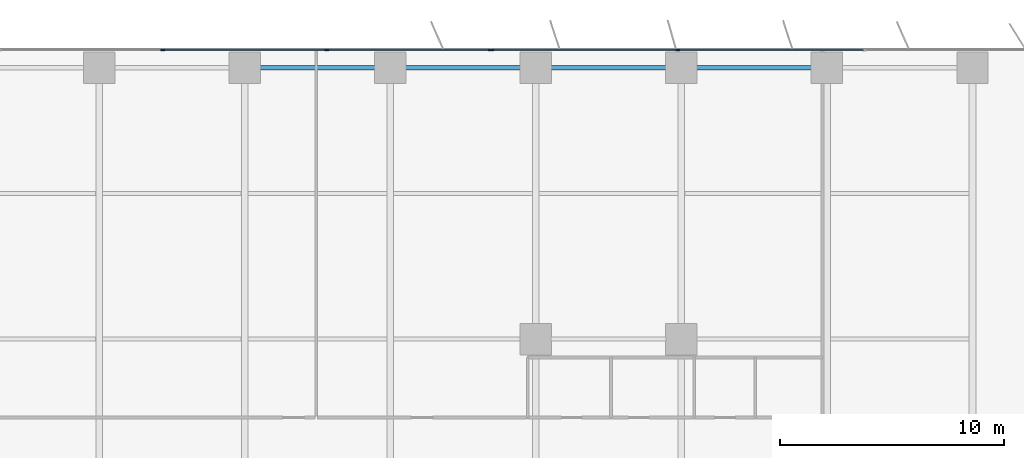
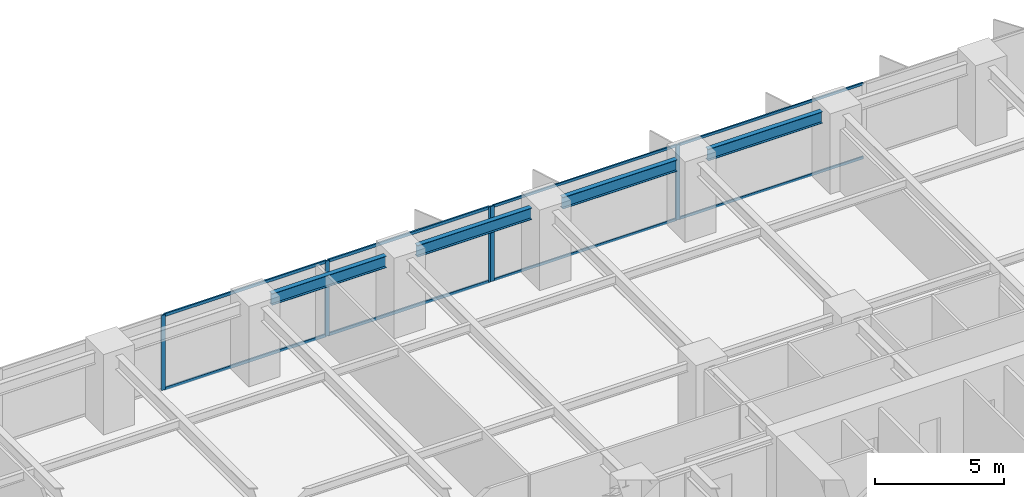
# One storey, part 9 of 20: 13 members, 4 beams, 2 elements without a shape of their own.
"""IFC4 building model written with IfcOpenShell, lengths in metres."""

from ifc_helpers import new_model, si_unit, direction, frame, origin, origin_2d, place, context, subcontext, project, spatial, rectangle, i_section, extrude, material, layer, layer_set, material_profile, profile_set, type_object, element, aggregate, save


model = new_model("IFC4")

# Units and contexts
model_context = context("Model", 3, precision=1e-05, world=origin(), true_north=direction((0.0, 1.0)))
body_context = subcontext(model_context, "Body", "Model", "MODEL_VIEW")
ifc_project = project(units=[si_unit("LENGTHUNIT", "METRE"), si_unit("AREAUNIT", "SQUARE_METRE"), si_unit("VOLUMEUNIT", "CUBIC_METRE"), si_unit("PLANEANGLEUNIT", "RADIAN"), si_unit("MASSUNIT", "GRAM", prefix="KILO")], contexts=[model_context])

# Site, building, storey
site_placement = place(None, origin())
site = spatial("IfcSite", under=ifc_project, at=site_placement, CompositionType="ELEMENT")
building_placement = place(site_placement, origin())
building = spatial("IfcBuilding", under=site, at=building_placement, Name="Putna Gate Headquarters", CompositionType="ELEMENT")
storey_placement = place(building_placement, frame((0.0, 0.0, 58.199951171875)))
storey = spatial("IfcBuildingStorey", under=building, at=storey_placement, Name="L13", CompositionType="ELEMENT", Elevation=58.199951171875)

# Beams
ifc_material_1 = material(Name="Steel S355J2", Category="steel")
ifc_material_profile_1 = material_profile(ifc_material_1, i_section(OverallWidth=0.2099609375, OverallDepth=0.550048828125, WebThickness=0.010986328125, FlangeThickness=0.01708984375, at=origin_2d()), Name="Steel S355J2")
ifc_profile_set_1 = profile_set([ifc_material_profile_1], Name="Steel S355J2")
beam_type = type_object("IfcBeamType", Name="BM-SPAN-Z1-IPE550", PredefinedType="SPANDREL", material=ifc_profile_set_1)
for number, where, z_axis, x_axis, name in (
    (1, (39.68798828125, 51.1201171875, 3.275146484375), (1.0, 0.0, 0.0), (0.0, 1.0, 0.0), "L13 N Perimeter Spandrel 6"),
    (2, (46.18798828125, 51.1201171875, 3.275146484375), (1.0, 0.0, 0.0), (0.0, 1.0, 0.0), "L13 N Perimeter Spandrel 7"),
    (3, (52.68798828125, 51.1201171875, 3.275146484375), (1.0, 0.0, 0.0), (0.0, 1.0, 0.0), "L13 N Perimeter Spandrel 8"),
    (4, (59.18798828125, 51.1201171875, 3.275146484375), (1.0, 0.0, 0.0), (0.0, 1.0, 0.0), "L13 N Perimeter Spandrel 9"),
):
    element("IfcBeam", number, at=place(storey_placement, frame(where, z_axis=z_axis, x_axis=x_axis)), inside=storey, type_object=beam_type, Name=name, PredefinedType="SPANDREL", context=body_context, shape_type="SweptSolid", body=[
        extrude(i_section(OverallWidth=0.2099609375, OverallDepth=0.550048828125, WebThickness=0.010986328125, FlangeThickness=0.01708984375, at=origin_2d()), origin(), (0.0, 0.0, 1.0), 5.1240234375),
    ])

# Curtain wall, members
ifc_material_2 = material(Name="Anodised bronze aluminium curtain wall", Category="aluminium")
ifc_layer_1 = layer(ifc_material_2, 0.179931640625)
ifc_layer_set_1 = layer_set([ifc_layer_1], Name="Anodised bronze aluminium curtain wall")
curtain_wall_type_1 = type_object("IfcCurtainWallType", Name="CW-SYS-Z1", PredefinedType="USERDEFINED", material=ifc_layer_set_1)
curtain_wall_1_placement = place(storey_placement, origin())
curtain_wall_1 = element("IfcCurtainWall", 5, at=curtain_wall_1_placement, inside=storey, type_object=curtain_wall_type_1, Name="L13 North East Curtain Wall", ObjectType="STICK CURTAIN WALL", PredefinedType="USERDEFINED")
ifc_material_3 = material(Name="Anodised bronze aluminium EN AW-6060", Category="aluminium")
ifc_material_profile_2 = material_profile(ifc_material_3, rectangle(XDim=0.070068359375, YDim=0.179931640625, at=origin_2d()), Name="Anodised bronze aluminium EN AW-6060")
ifc_profile_set_2 = profile_set([ifc_material_profile_2], Name="Anodised bronze aluminium EN AW-6060")
member_type_1 = type_object("IfcMemberType", Name="MULL-CWM-1", PredefinedType="MULLION", material=ifc_profile_set_2)
member_1_placement = place(storey_placement, frame((50.034912109375, 51.919921875, 0.0), z_axis=(0.0, 0.0, 1.0), x_axis=(0.0, 1.0, 0.0)))
member_1 = element("IfcMember", 6, at=member_1_placement, type_object=member_type_1, Name="CWS-1 mullion 1", PredefinedType="MULLION", context=body_context, shape_type="SweptSolid", body=[
    extrude(rectangle(XDim=0.070068359375, YDim=0.179931640625, at=origin_2d()), origin(), (0.0, 0.0, 1.0), 3.550048828125),
])
member_2_placement = place(storey_placement, frame((58.333251953125, 51.919921875, 0.0), z_axis=(0.0, 0.0, 1.0), x_axis=(0.0, 1.0, 0.0)))
member_2 = element("IfcMember", 7, at=member_2_placement, type_object=member_type_1, Name="CWS-1 mullion 2", PredefinedType="MULLION", context=body_context, shape_type="SweptSolid", body=[
    extrude(rectangle(XDim=0.070068359375, YDim=0.179931640625, at=origin_2d()), origin(), (0.0, 0.0, 1.0), 3.550048828125),
])

ifc_layer_2 = layer(ifc_material_2, 0.179931640625)
ifc_layer_set_2 = layer_set([ifc_layer_2], Name="Anodised bronze aluminium curtain wall")
curtain_wall_type_2 = type_object("IfcCurtainWallType", Name="CW-SYS-ATR", PredefinedType="USERDEFINED", material=ifc_layer_set_2)
curtain_wall_2_placement = place(storey_placement, origin())
curtain_wall_2 = element("IfcCurtainWall", 8, at=curtain_wall_2_placement, inside=storey, type_object=curtain_wall_type_2, Name="L13 North Atrium Clear Glazing", ObjectType="ATRIUM GLAZING", PredefinedType="USERDEFINED")
ifc_material_profile_3 = material_profile(ifc_material_3, rectangle(XDim=0.070068359375, YDim=0.179931640625, at=origin_2d()), Name="Anodised bronze aluminium EN AW-6060")
ifc_profile_set_3 = profile_set([ifc_material_profile_3], Name="Anodised bronze aluminium EN AW-6060")
member_type_2 = type_object("IfcMemberType", Name="MULL-CWM-AT", PredefinedType="MULLION", material=ifc_profile_set_3)
member_3_placement = place(storey_placement, frame((35.333251953125, 51.919921875, 0.0), z_axis=(0.0, 0.0, 1.0), x_axis=(0.0, 1.0, 0.0)))
member_3 = element("IfcMember", 9, at=member_3_placement, type_object=member_type_2, Name="CWS-AT mullion 2", PredefinedType="MULLION", context=body_context, shape_type="SweptSolid", body=[
    extrude(rectangle(XDim=0.070068359375, YDim=0.179931640625, at=origin_2d()), origin(), (0.0, 0.0, 1.0), 3.550048828125),
])
member_4_placement = place(storey_placement, frame((42.666748046875, 51.919921875, 0.0), z_axis=(0.0, 0.0, 1.0), x_axis=(0.0, 1.0, 0.0)))
member_4 = element("IfcMember", 10, at=member_4_placement, type_object=member_type_2, Name="CWS-AT mullion 3", PredefinedType="MULLION", context=body_context, shape_type="SweptSolid", body=[
    extrude(rectangle(XDim=0.070068359375, YDim=0.179931640625, at=origin_2d()), origin(), (0.0, 0.0, 1.0), 3.550048828125),
])
member_5_placement = place(storey_placement, frame((49.965087890625, 51.919921875, 0.0), z_axis=(0.0, 0.0, 1.0), x_axis=(0.0, 1.0, 0.0)))
member_5 = element("IfcMember", 11, at=member_5_placement, type_object=member_type_2, Name="CWS-AT mullion 4", PredefinedType="MULLION", context=body_context, shape_type="SweptSolid", body=[
    extrude(rectangle(XDim=0.070068359375, YDim=0.179931640625, at=origin_2d()), origin(), (0.0, 0.0, 1.0), 3.550048828125),
])

# Member
ifc_material_profile_4 = material_profile(ifc_material_3, rectangle(XDim=0.06494140625, YDim=0.1201171875, at=origin_2d()), Name="Anodised bronze aluminium EN AW-6060")
ifc_profile_set_4 = profile_set([ifc_material_profile_4], Name="Anodised bronze aluminium EN AW-6060")
member_type_3 = type_object("IfcMemberType", Name="TRAN-CWT-1", PredefinedType="USERDEFINED", material=ifc_profile_set_4)
member_6_placement = place(storey_placement, frame((50.070068359375, 51.919921875, 0.032470703125), z_axis=(1.0, 0.0, 0.0), x_axis=(0.0, 1.0, 0.0)))
member_6 = element("IfcMember", 12, at=member_6_placement, type_object=member_type_3, Name="CWS-1 transom 1.1", ObjectType="TRANSOM", PredefinedType="USERDEFINED", context=body_context, shape_type="SweptSolid", body=[
    extrude(rectangle(XDim=0.06494140625, YDim=0.1201171875, at=origin_2d()), origin(), (0.0, 0.0, 1.0), 8.228271484375),
])

member_7_placement = place(storey_placement, frame((50.070068359375, 51.919921875, 3.517578125), z_axis=(1.0, 0.0, 0.0), x_axis=(0.0, 1.0, 0.0)))
member_7 = element("IfcMember", 13, at=member_7_placement, type_object=member_type_3, Name="CWS-1 transom 1.2", ObjectType="TRANSOM", PredefinedType="USERDEFINED", context=body_context, shape_type="SweptSolid", body=[
    extrude(rectangle(XDim=0.06494140625, YDim=0.1201171875, at=origin_2d()), origin(), (0.0, 0.0, 1.0), 8.228271484375),
])

member_8_placement = place(storey_placement, frame((58.368408203125, 51.919921875, 0.032470703125), z_axis=(1.0, 0.0, 0.0), x_axis=(0.0, 1.0, 0.0)))
member_8 = element("IfcMember", 14, at=member_8_placement, type_object=member_type_3, Name="CWS-1 transom 2.1", ObjectType="TRANSOM", PredefinedType="USERDEFINED", context=body_context, shape_type="SweptSolid", body=[
    extrude(rectangle(XDim=0.06494140625, YDim=0.1201171875, at=origin_2d()), origin(), (0.0, 0.0, 1.0), 8.26318359375),
])

member_9_placement = place(storey_placement, frame((58.368408203125, 51.919921875, 3.517578125), z_axis=(1.0, 0.0, 0.0), x_axis=(0.0, 1.0, 0.0)))
member_9 = element("IfcMember", 15, at=member_9_placement, type_object=member_type_3, Name="CWS-1 transom 2.2", ObjectType="TRANSOM", PredefinedType="USERDEFINED", context=body_context, shape_type="SweptSolid", body=[
    extrude(rectangle(XDim=0.06494140625, YDim=0.1201171875, at=origin_2d()), origin(), (0.0, 0.0, 1.0), 8.26318359375),
])

aggregate(curtain_wall_1, [member_1, member_2, member_6, member_7, member_8, member_9])

ifc_material_profile_5 = material_profile(ifc_material_3, rectangle(XDim=0.070068359375, YDim=0.139892578125, at=origin_2d()), Name="Anodised bronze aluminium EN AW-6060")
ifc_profile_set_5 = profile_set([ifc_material_profile_5], Name="Anodised bronze aluminium EN AW-6060")
member_type_4 = type_object("IfcMemberType", Name="TRAN-CWT-AT", PredefinedType="USERDEFINED", material=ifc_profile_set_5)
member_10_placement = place(storey_placement, frame((35.368408203125, 51.919921875, 0.03515625), z_axis=(1.0, 0.0, 0.0), x_axis=(0.0, 1.0, 0.0)))
member_10 = element("IfcMember", 16, at=member_10_placement, type_object=member_type_4, Name="CWS-AT transom 2.1", ObjectType="TRANSOM", PredefinedType="USERDEFINED", context=body_context, shape_type="SweptSolid", body=[
    extrude(rectangle(XDim=0.070068359375, YDim=0.139892578125, at=origin_2d()), origin(), (0.0, 0.0, 1.0), 7.26318359375),
])

member_11_placement = place(storey_placement, frame((35.368408203125, 51.919921875, 3.51513671875), z_axis=(1.0, 0.0, 0.0), x_axis=(0.0, 1.0, 0.0)))
member_11 = element("IfcMember", 17, at=member_11_placement, type_object=member_type_4, Name="CWS-AT transom 2.2", ObjectType="TRANSOM", PredefinedType="USERDEFINED", context=body_context, shape_type="SweptSolid", body=[
    extrude(rectangle(XDim=0.070068359375, YDim=0.139892578125, at=origin_2d()), origin(), (0.0, 0.0, 1.0), 7.26318359375),
])

member_12_placement = place(storey_placement, frame((42.70166015625, 51.919921875, 0.03515625), z_axis=(1.0, 0.0, 0.0), x_axis=(0.0, 1.0, 0.0)))
member_12 = element("IfcMember", 18, at=member_12_placement, type_object=member_type_4, Name="CWS-AT transom 3.1", ObjectType="TRANSOM", PredefinedType="USERDEFINED", context=body_context, shape_type="SweptSolid", body=[
    extrude(rectangle(XDim=0.070068359375, YDim=0.139892578125, at=origin_2d()), origin(), (0.0, 0.0, 1.0), 7.228271484375),
])

member_13_placement = place(storey_placement, frame((42.70166015625, 51.919921875, 3.51513671875), z_axis=(1.0, 0.0, 0.0), x_axis=(0.0, 1.0, 0.0)))
member_13 = element("IfcMember", 19, at=member_13_placement, type_object=member_type_4, Name="CWS-AT transom 3.2", ObjectType="TRANSOM", PredefinedType="USERDEFINED", context=body_context, shape_type="SweptSolid", body=[
    extrude(rectangle(XDim=0.070068359375, YDim=0.139892578125, at=origin_2d()), origin(), (0.0, 0.0, 1.0), 7.228271484375),
])

aggregate(curtain_wall_2, [member_3, member_4, member_5, member_10, member_11, member_12, member_13])

save(model, "model.ifc")
